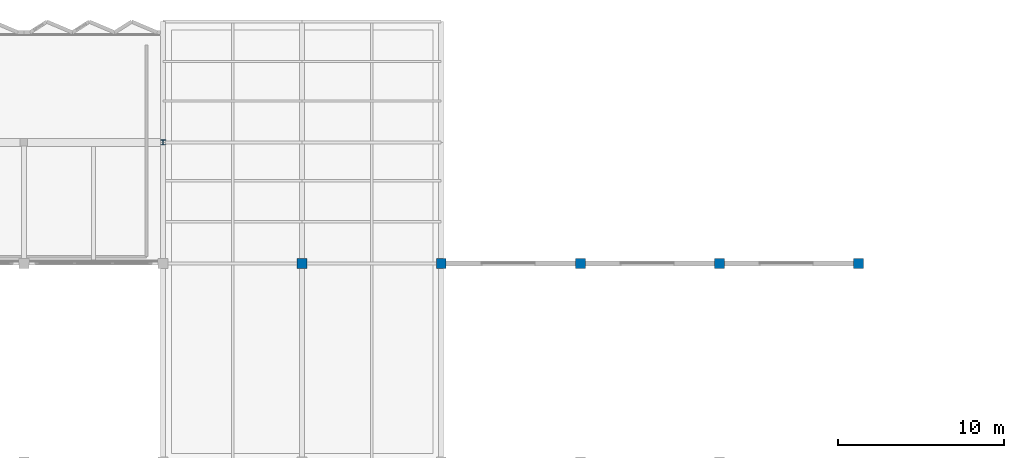
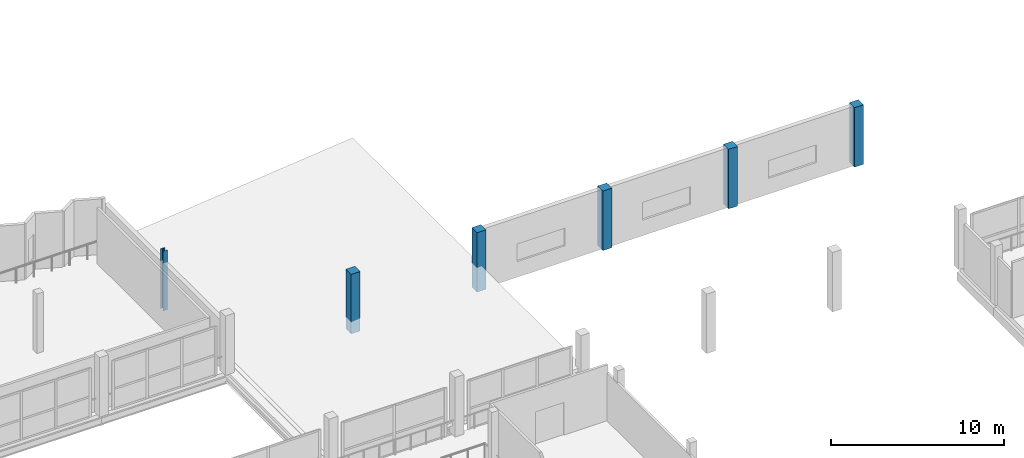
# One storey, part 3 of 53: 6 columns.
"""IFC4 building model written with IfcOpenShell, lengths in metres."""

from ifc_helpers import new_model, si_unit, direction, frame, origin, origin_2d, place, context, subcontext, project, spatial, rectangle, i_section, extrude, material, material_profile, profile_set, type_object, element, save


model = new_model("IFC4")

# Units and contexts
model_context = context("Model", 3, precision=1e-05, world=origin(), true_north=direction((0.0, 1.0)))
body_context = subcontext(model_context, "Body", "Model", "MODEL_VIEW")
ifc_project = project(units=[si_unit("LENGTHUNIT", "METRE"), si_unit("AREAUNIT", "SQUARE_METRE"), si_unit("VOLUMEUNIT", "CUBIC_METRE"), si_unit("PLANEANGLEUNIT", "RADIAN"), si_unit("MASSUNIT", "GRAM", prefix="KILO")], contexts=[model_context])

# Site, building, storey
site_placement = place(None, origin())
site = spatial("IfcSite", under=ifc_project, at=site_placement, CompositionType="ELEMENT")
building_placement = place(site_placement, origin())
building = spatial("IfcBuilding", under=site, at=building_placement, Name="Vharandega Faculty of Natural Sciences", CompositionType="ELEMENT")
storey_placement = place(building_placement, frame((0.0, 0.0, 10.199951171875)))
storey = spatial("IfcBuildingStorey", under=building, at=storey_placement, Name="L02", CompositionType="ELEMENT", Elevation=10.199951171875)

# Columns
ifc_material_1 = material(Name="Concrete C40/50", Category="concrete")
ifc_material_profile_1 = material_profile(ifc_material_1, rectangle(XDim=0.60009765625, YDim=0.60009765625, at=origin_2d()), Name="RC 600x600")
ifc_profile_set_1 = profile_set([ifc_material_profile_1], Name="Concrete C40/50")
column_type_1 = type_object("IfcColumnType", Name="RC Column 600x600", PredefinedType="COLUMN", material=ifc_profile_set_1)
for number, where, z_axis, x_axis, name in (
    (1, (81.199951171875, 97.0, 0.0), (0.0, 0.0, 1.0), (1.0, 0.0, 0.0), "Column 11/N L02"),
    (2, (89.60009765625, 97.0, 0.0), (0.0, 0.0, 1.0), (1.0, 0.0, 0.0), "Column 12/N L02"),
    (3, (98.0, 97.0, 0.0), (0.0, 0.0, 1.0), (1.0, 0.0, 0.0), "Column 13/N L02"),
    (4, (106.39990234375, 97.0, 0.0), (0.0, 0.0, 1.0), (1.0, 0.0, 0.0), "Column 14/N L02"),
    (5, (114.800048828125, 97.0, 0.0), (0.0, 0.0, 1.0), (1.0, 0.0, 0.0), "Column 15/N L02"),
):
    element("IfcColumn", number, at=place(storey_placement, frame(where, z_axis=z_axis, x_axis=x_axis)), inside=storey, type_object=column_type_1, Name=name, PredefinedType="COLUMN", context=body_context, shape_type="SweptSolid", body=[
        extrude(rectangle(XDim=0.60009765625, YDim=0.60009765625, at=origin_2d()), origin(), (0.0, 0.0, 1.0), 4.199951171875),
    ])
ifc_material_2 = material(Name="Steel S355", Category="steel")
ifc_material_profile_2 = material_profile(ifc_material_2, i_section(OverallWidth=0.300048828125, OverallDepth=0.300048828125, WebThickness=0.010986328125, FlangeThickness=0.01904296875, FilletRadius=0.027099609375, at=origin_2d()), Name="HEB 300")
ifc_profile_set_2 = profile_set([ifc_material_profile_2], Name="Steel S355")
column_type_2 = type_object("IfcColumnType", Name="Steel Column HEB 300", PredefinedType="COLUMN", material=ifc_profile_set_2)
column_placement = place(storey_placement, frame((72.800048828125, 104.300048828125, 0.0), z_axis=(0.0, 0.0, 1.0), x_axis=(1.0, 0.0, 0.0)))
element("IfcColumn", 6, at=column_placement, inside=storey, type_object=column_type_2, Name="Column 10/P L02", PredefinedType="COLUMN", context=body_context, shape_type="SweptSolid", body=[
    extrude(i_section(OverallWidth=0.300048828125, OverallDepth=0.300048828125, WebThickness=0.010986328125, FlangeThickness=0.01904296875, FilletRadius=0.027099609375, at=origin_2d()), origin(), (0.0, 0.0, 1.0), 4.199951171875),
])

save(model, "model.ifc")
